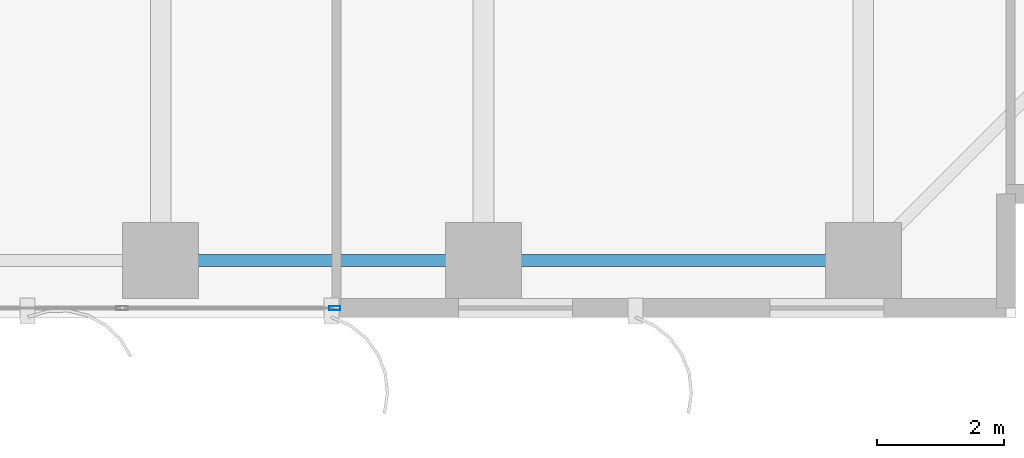
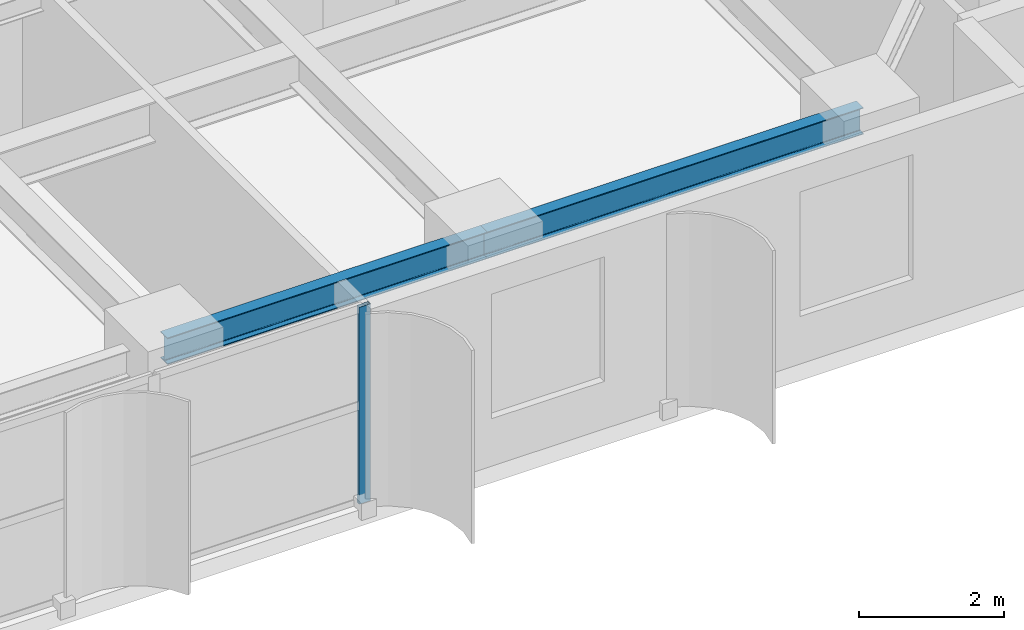
# One storey, part 9 of 25: 2 beams, 1 member, 1 element without a shape of its own.
"""IFC4 building model written with IfcOpenShell, lengths in metres."""

import ifcopenshell
import ifcopenshell.guid

model = None  # the IFC model being written
_history = None  # IfcOwnerHistory: only IFC2X3 demands one
_inside = {}  # id of a spatial element -> (the spatial element, [elements in it])
_under = {}  # id of a project, library or spatial element -> (it, [spatial elements below it])
_declared = {}  # id of a project -> (the project, [libraries it declares])
_typed = {}  # id of a type object -> (the type object, [elements of that type])
_made_of = {}  # id of a material, layer set ... -> (it, [elements and type objects made of it])


def new_model(schema):
    """Start an empty IFC model of exactly this schema.

    Asked for "IFC4X3", IfcOpenShell would pick the latest addendum, in which some entities
    have other attributes; the version numbers below select the first issue.
    IFC2X3 requires an IfcOwnerHistory on every rooted entity: one is made here for all.
    """
    global model, _history
    if schema == "IFC4X3":
        model = ifcopenshell.file(schema_version=(4, 3, 0, 0))
    else:
        model = ifcopenshell.file(schema=schema)
    _inside.clear()
    _under.clear()
    _declared.clear()
    _typed.clear()
    _made_of.clear()
    _history = None
    if model.schema == "IFC2X3":
        org = make("IfcOrganization", Name="unknown")
        user = make(
            "IfcPersonAndOrganization",
            ThePerson=make("IfcPerson", FamilyName="unknown"),
            TheOrganization=org,
        )
        app = make(
            "IfcApplication",
            ApplicationDeveloper=org,
            Version="unknown",
            ApplicationFullName="unknown",
            ApplicationIdentifier="unknown",
        )
        _history = make(
            "IfcOwnerHistory",
            OwningUser=user,
            OwningApplication=app,
            ChangeAction="ADDED",
            CreationDate=0,
        )
    return model


def make(cls, **values):
    """One entity of the class cls with the attributes given. An attribute that is None is left unset."""
    return model.create_entity(
        cls, **{name: value for name, value in values.items() if value is not None}
    )


def rooted(cls, **values):
    """An entity with a GlobalId (a new one), such as an element, a storey or a relation."""
    return make(cls, GlobalId=ifcopenshell.guid.new(), OwnerHistory=_history, **values)


def si_unit(unit_type, name, prefix=None):
    """IfcSIUnit, for example si_unit("LENGTHUNIT", "METRE", prefix="MILLI")."""
    return make("IfcSIUnit", UnitType=unit_type, Prefix=prefix, Name=name)


def assignment(units):
    """IfcUnitAssignment: the units of a project."""
    return None if units is None else make("IfcUnitAssignment", Units=units)


def point(xyz):
    """IfcCartesianPoint."""
    return None if xyz is None else make("IfcCartesianPoint", Coordinates=xyz)


def direction(xyz):
    """IfcDirection."""
    return None if xyz is None else make("IfcDirection", DirectionRatios=xyz)


def frame(location, z_axis=None, x_axis=None):
    """IfcAxis2Placement3D, a coordinate frame: its origin and axes. An axis left out is left unset."""
    return make(
        "IfcAxis2Placement3D",
        Location=point(location),
        Axis=direction(z_axis),
        RefDirection=direction(x_axis),
    )


def frame_2d(location, x_axis=None):
    """IfcAxis2Placement2D, a coordinate frame in the plane: its origin and x axis."""
    return make(
        "IfcAxis2Placement2D", Location=point(location), RefDirection=direction(x_axis)
    )


def origin():
    """The frame at (0, 0, 0) with its axes left unset."""
    return frame((0.0, 0.0, 0.0))


def origin_2d():
    """The frame at (0, 0) in the plane with its x axis left unset."""
    return frame_2d((0.0, 0.0))


def place(relative_to, where):
    """IfcLocalPlacement: puts the frame where relative to a parent placement (None: the world)."""
    return make(
        "IfcLocalPlacement", PlacementRelTo=relative_to, RelativePlacement=where
    )


def context(
    kind, dimensions, precision=None, world=None, true_north=None, identifier=None
):
    """IfcGeometricRepresentationContext, for example the 3D "Model" context."""
    return make(
        "IfcGeometricRepresentationContext",
        ContextIdentifier=identifier,
        ContextType=kind,
        CoordinateSpaceDimension=dimensions,
        Precision=precision,
        WorldCoordinateSystem=world,
        TrueNorth=true_north,
    )


def subcontext(parent, identifier, kind, view, scale=None):
    """IfcGeometricRepresentationSubContext, for example "Body" below "Model"."""
    return make(
        "IfcGeometricRepresentationSubContext",
        ContextIdentifier=identifier,
        ContextType=kind,
        ParentContext=parent,
        TargetScale=scale,
        TargetView=view,
    )


def project(units=None, contexts=None):
    """IfcProject with its units and contexts."""
    return rooted(
        "IfcProject",
        Name="project",
        RepresentationContexts=contexts,
        UnitsInContext=assignment(units),
    )


def spatial(cls, under=None, at=None, **own):
    """A site, building, storey or space (cls), placed at a placement, below another one or the project."""
    s = rooted(cls, ObjectPlacement=at, **own)
    if under is not None:
        _under.setdefault(under.id(), (under, []))[1].append(s)
    return s


def profile(cls, at=None, kind="AREA", **sizes):
    """A parametric profile (cls). Its sizes go by their IFC names, for example OverallWidth=200.0."""
    return make(cls, ProfileType=kind, Position=at, **sizes)


def hollow_rectangle(**sizes):
    """IfcRectangleHollowProfileDef."""
    return profile("IfcRectangleHollowProfileDef", **sizes)


def i_section(**sizes):
    """IfcIShapeProfileDef."""
    return profile("IfcIShapeProfileDef", **sizes)


def extrude(swept, where, along, depth):
    """IfcExtrudedAreaSolid: the profile swept, set in the frame where, extruded along a direction by depth."""
    return make(
        "IfcExtrudedAreaSolid",
        SweptArea=swept,
        Position=where,
        ExtrudedDirection=direction(along),
        Depth=depth,
    )


def shape(context_of_items, identifier, shape_type, items):
    """IfcShapeRepresentation: the items that make up one representation, for example the "Body"."""
    return make(
        "IfcShapeRepresentation",
        ContextOfItems=context_of_items,
        RepresentationIdentifier=identifier,
        RepresentationType=shape_type,
        Items=items,
    )


def source(mapping_origin, context_of_items, identifier, shape_type, items):
    """IfcRepresentationMap: a shape defined once, which mapped items show again and again."""
    return make(
        "IfcRepresentationMap",
        MappingOrigin=mapping_origin,
        MappedRepresentation=shape(context_of_items, identifier, shape_type, items),
    )


def transform(
    local_origin,
    x_axis=None,
    y_axis=None,
    z_axis=None,
    scale=None,
    scale2=None,
    scale3=None,
    uniform=True,
):
    """IfcCartesianTransformationOperator3D, or its non-uniform kind. x_axis, y_axis, z_axis: its Axis1, 2, 3."""
    if uniform:
        return make(
            "IfcCartesianTransformationOperator3D",
            Axis1=direction(x_axis),
            Axis2=direction(y_axis),
            LocalOrigin=point(local_origin),
            Scale=scale,
            Axis3=direction(z_axis),
        )
    return make(
        "IfcCartesianTransformationOperator3DnonUniform",
        Axis1=direction(x_axis),
        Axis2=direction(y_axis),
        LocalOrigin=point(local_origin),
        Scale=scale,
        Axis3=direction(z_axis),
        Scale2=scale2,
        Scale3=scale3,
    )


def mapped(mapping_source, mapping_target):
    """IfcMappedItem: shows the shape of a source again, moved by a transform."""
    return make(
        "IfcMappedItem", MappingSource=mapping_source, MappingTarget=mapping_target
    )


def material(Name=None, Category=None):
    """IfcMaterial."""
    return make("IfcMaterial", Name=Name, Category=Category)


def layer(
    of_material, thickness, ventilated=None, Name=None, Category=None, Priority=None
):
    """IfcMaterialLayer: one layer of a wall or slab, of a material (None: an air gap)."""
    return make(
        "IfcMaterialLayer",
        Material=of_material,
        LayerThickness=thickness,
        IsVentilated=ventilated,
        Name=Name,
        Category=Category,
        Priority=Priority,
    )


def layer_set(layers, Name=None):
    """IfcMaterialLayerSet."""
    return make("IfcMaterialLayerSet", MaterialLayers=layers, LayerSetName=Name)


def material_profile(
    of_material, cross_section, Name=None, Category=None, Priority=None
):
    """IfcMaterialProfile: a cross section and its material."""
    return make(
        "IfcMaterialProfile",
        Name=Name,
        Material=of_material,
        Profile=cross_section,
        Priority=Priority,
        Category=Category,
    )


def profile_set(profiles, Name=None, composite=None):
    """IfcMaterialProfileSet."""
    return make(
        "IfcMaterialProfileSet",
        Name=Name,
        MaterialProfiles=profiles,
        CompositeProfile=composite,
    )


def made_of(thing, what):
    """Note that an element or type object is made of a material, layer set ...; save() writes the relation."""
    if what is not None:
        _made_of.setdefault(what.id(), (what, []))[1].append(thing)
    return thing


def type_object(cls, material=None, **own):
    """A type object (cls), such as IfcWallType, which elements share."""
    return made_of(rooted(cls, **own), material)


def element(
    cls,
    number,
    at=None,
    inside=None,
    cuts=None,
    type_object=None,
    material=None,
    context=None,
    identifier="Body",
    shape_type=None,
    held_by="IfcProductDefinitionShape",
    body=None,
    shapes=None,
    **own,
):
    """One element of the class cls, such as IfcWall. Its Tag is "e" and its number.

    at: its placement. inside: the storey or other place that contains it. cuts: it is an
    opening in that element (IfcRelVoidsElement). A single representation is given by context,
    identifier, shape_type and body (its items); several are given by shapes. held_by: the class
    of the entity that holds the representations. save() writes the other relations.
    """
    e = rooted(cls, Tag="e%d" % number, ObjectPlacement=at, **own)
    if body is not None:
        shapes = [shape(context, identifier, shape_type, body)]
    if shapes is not None:
        e.Representation = make(held_by, Representations=shapes)
    if inside is not None:
        _inside.setdefault(inside.id(), (inside, []))[1].append(e)
    if cuts is not None:
        rooted(
            "IfcRelVoidsElement", RelatingBuildingElement=cuts, RelatedOpeningElement=e
        )
    if type_object is not None:
        _typed.setdefault(type_object.id(), (type_object, []))[1].append(e)
    return made_of(e, material)


def aggregate(whole, parts):
    """IfcRelAggregates: a whole, such as a stair, and the parts it consists of."""
    return rooted("IfcRelAggregates", RelatingObject=whole, RelatedObjects=parts)


def save(model, path):
    """Write the relations noted so far, then the file.

    IfcRelAggregates (storeys below a building ...), IfcRelContainedInSpatialStructure (elements
    in a storey), IfcRelDefinesByType, IfcRelAssociatesMaterial and IfcRelDeclares: one each for
    every whole, place, type object, material and project.
    """
    for whole, parts in _under.values():
        aggregate(whole, parts)
    for where, things in _inside.values():
        rooted(
            "IfcRelContainedInSpatialStructure",
            RelatedElements=things,
            RelatingStructure=where,
        )
    for kind, things in _typed.values():
        rooted("IfcRelDefinesByType", RelatedObjects=things, RelatingType=kind)
    for what, things in _made_of.values():
        rooted("IfcRelAssociatesMaterial", RelatedObjects=things, RelatingMaterial=what)
    for by, libraries in _declared.values():
        rooted("IfcRelDeclares", RelatingContext=by, RelatedDefinitions=libraries)
    model.write(path)


model = new_model("IFC4")

# Units and contexts
model_context = context("Model", 3, precision=1e-05, world=origin(), true_north=direction((0.0, 1.0)))
body_context = subcontext(model_context, "Body", "Model", "MODEL_VIEW")
ifc_project = project(units=[si_unit("LENGTHUNIT", "METRE"), si_unit("AREAUNIT", "SQUARE_METRE"), si_unit("VOLUMEUNIT", "CUBIC_METRE"), si_unit("PLANEANGLEUNIT", "RADIAN"), si_unit("MASSUNIT", "GRAM", prefix="KILO")], contexts=[model_context])

# Site, building, storey
site_placement = place(None, origin())
site = spatial("IfcSite", under=ifc_project, at=site_placement, CompositionType="ELEMENT")
building_placement = place(site_placement, origin())
building = spatial("IfcBuilding", under=site, at=building_placement, Name="Khoralis Quay Care Tower", CompositionType="ELEMENT")
storey_placement = place(building_placement, frame((0.0, 0.0, 51.300048828125)))
storey = spatial("IfcBuildingStorey", under=building, at=storey_placement, Name="L13", CompositionType="ELEMENT", Elevation=51.300048828125)

# Beams
ifc_material_1 = material(Name="Steel S355", Category="steel")
ifc_material_profile_1 = material_profile(ifc_material_1, i_section(OverallWidth=0.18994140625, OverallDepth=0.449951171875, WebThickness=0.009521484375, FlangeThickness=0.0146484375, FilletRadius=0.02099609375, at=origin_2d()), Name="Steel S355")
ifc_profile_set_1 = profile_set([ifc_material_profile_1], Name="Steel S355")
beam_type = type_object("IfcBeamType", Name="BM-IPE450", PredefinedType="SPANDREL", material=ifc_profile_set_1)
shared_shape_1 = source(origin(), body_context, "Body", "SweptSolid", [
    extrude(i_section(OverallWidth=0.18994140625, OverallDepth=0.449951171875, WebThickness=0.009521484375, FlangeThickness=0.0146484375, FilletRadius=0.02099609375, at=origin_2d()), origin(), (0.0, 0.0, 1.0), 6.0),
])
beam_1_placement = place(storey_placement, frame((36.0, 0.89990234375, 3.094970703125), z_axis=(1.0, 0.0, 0.0), x_axis=(0.0, 1.0, 0.0)))
element("IfcBeam", 1, at=beam_1_placement, inside=storey, type_object=beam_type, Name="BM-TSP-L13-06", PredefinedType="SPANDREL", context=body_context, shape_type="MappedRepresentation", body=[
    mapped(shared_shape_1, transform((0.0, 0.0, 0.0), scale=1.0)),
])
shared_shape_2 = source(origin(), body_context, "Body", "SweptSolid", [
    extrude(i_section(OverallWidth=0.18994140625, OverallDepth=0.449951171875, WebThickness=0.009521484375, FlangeThickness=0.0146484375, FilletRadius=0.02099609375, at=origin_2d()), origin(), (0.0, 0.0, 1.0), 5.10009765625),
])
beam_2_placement = place(storey_placement, frame((30.89990234375, 0.89990234375, 3.094970703125), z_axis=(1.0, 0.0, 0.0), x_axis=(0.0, 1.0, 0.0)))
element("IfcBeam", 2, at=beam_2_placement, inside=storey, type_object=beam_type, Name="BM-TSP-L13-05", PredefinedType="SPANDREL", context=body_context, shape_type="MappedRepresentation", body=[
    mapped(shared_shape_2, transform((0.0, 0.0, 0.0), scale=1.0)),
])

# Curtain wall, member
ifc_material_2 = material(Name="Pale anodised aluminium", Category="aluminium")
ifc_layer = layer(ifc_material_2, 0.179931640625)
ifc_layer_set = layer_set([ifc_layer], Name="Pale anodised aluminium")
curtain_wall_type = type_object("IfcCurtainWallType", Name="CW-SYS-Z1", PredefinedType="NOTDEFINED", material=ifc_layer_set)
curtain_wall_placement = place(storey_placement, origin())
curtain_wall = element("IfcCurtainWall", 3, at=curtain_wall_placement, inside=storey, type_object=curtain_wall_type, Name="L13 Unitised Curtain Wall CW-L13-P1-E0", PredefinedType="NOTDEFINED")
ifc_material_profile_2 = material_profile(ifc_material_2, hollow_rectangle(XDim=0.06494140625, YDim=0.179931640625, WallThickness=0.00390625, at=origin_2d()), Name="Pale anodised aluminium")
ifc_profile_set_2 = profile_set([ifc_material_profile_2], Name="Pale anodised aluminium")
member_type = type_object("IfcMemberType", Name="CW-MUL-180", PredefinedType="MULLION", material=ifc_profile_set_2)
shared_shape_3 = source(origin(), body_context, "Body", "SweptSolid", [
    extrude(hollow_rectangle(XDim=0.06494140625, YDim=0.179931640625, WallThickness=0.00390625, at=origin_2d()), origin(), (0.0, 0.0, 1.0), 3.320068359375),
])
member_placement = place(storey_placement, frame((33.64990234375, 0.14990234375, 0.0), z_axis=(0.0, 0.0, 1.0), x_axis=(0.0, 1.0, 0.0)))
member = element("IfcMember", 4, at=member_placement, type_object=member_type, Name="CW1 mullion 7", PredefinedType="MULLION", context=body_context, shape_type="MappedRepresentation", body=[
    mapped(shared_shape_3, transform((0.0, 0.0, 0.0), scale=1.0)),
])
aggregate(curtain_wall, [member])

save(model, "model.ifc")
